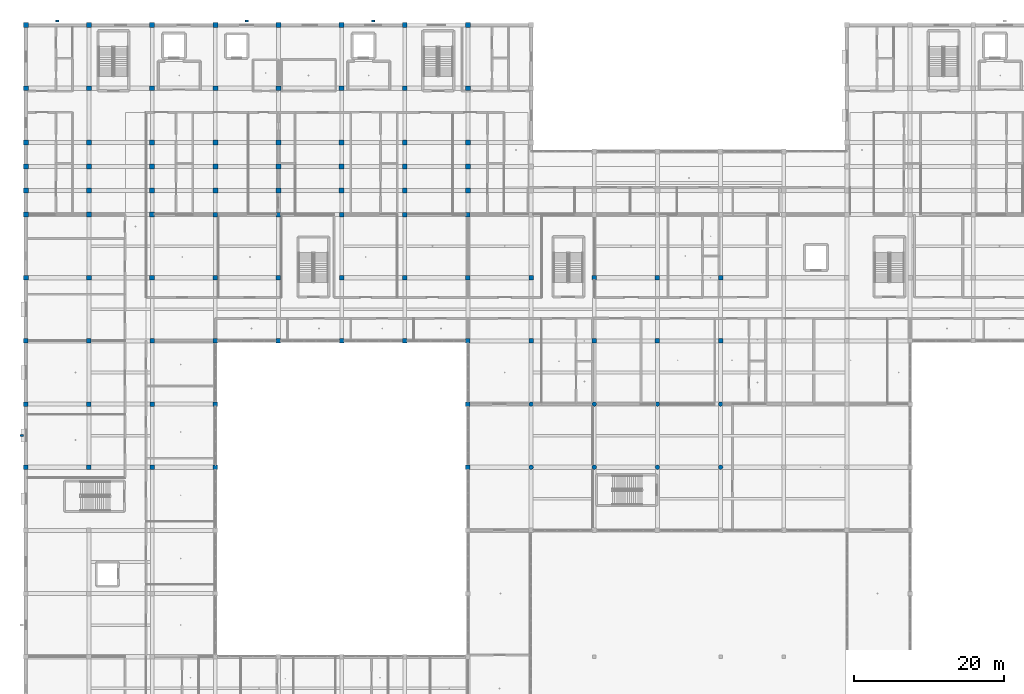
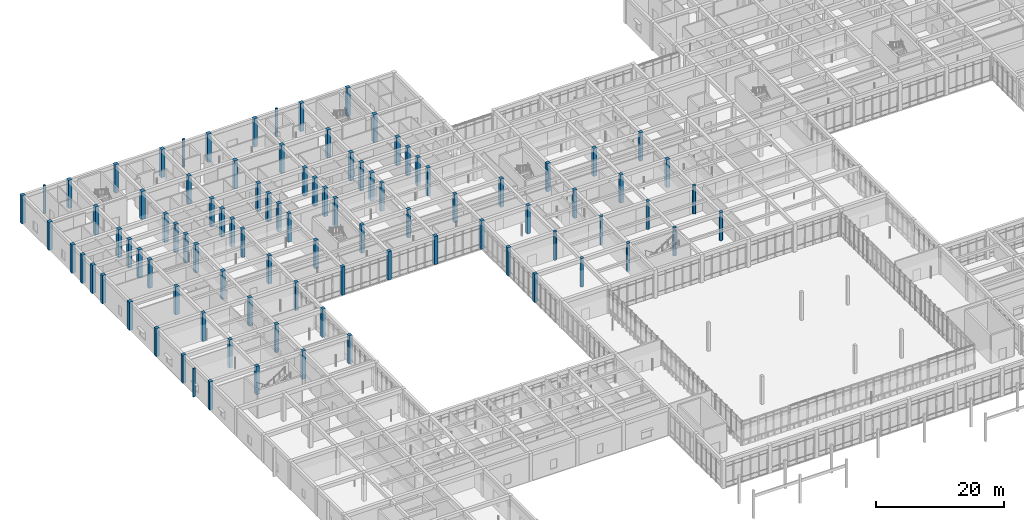
# One storey, part 3 of 157: 94 columns.
"""IFC4 building model written with IfcOpenShell, lengths in metres."""

import ifcopenshell
import ifcopenshell.guid

model = None  # the IFC model being written
_history = None  # IfcOwnerHistory: only IFC2X3 demands one
_inside = {}  # id of a spatial element -> (the spatial element, [elements in it])
_under = {}  # id of a project, library or spatial element -> (it, [spatial elements below it])
_declared = {}  # id of a project -> (the project, [libraries it declares])
_typed = {}  # id of a type object -> (the type object, [elements of that type])
_made_of = {}  # id of a material, layer set ... -> (it, [elements and type objects made of it])


def new_model(schema):
    """Start an empty IFC model of exactly this schema.

    Asked for "IFC4X3", IfcOpenShell would pick the latest addendum, in which some entities
    have other attributes; the version numbers below select the first issue.
    IFC2X3 requires an IfcOwnerHistory on every rooted entity: one is made here for all.
    """
    global model, _history
    if schema == "IFC4X3":
        model = ifcopenshell.file(schema_version=(4, 3, 0, 0))
    else:
        model = ifcopenshell.file(schema=schema)
    _inside.clear()
    _under.clear()
    _declared.clear()
    _typed.clear()
    _made_of.clear()
    _history = None
    if model.schema == "IFC2X3":
        org = make("IfcOrganization", Name="unknown")
        user = make(
            "IfcPersonAndOrganization",
            ThePerson=make("IfcPerson", FamilyName="unknown"),
            TheOrganization=org,
        )
        app = make(
            "IfcApplication",
            ApplicationDeveloper=org,
            Version="unknown",
            ApplicationFullName="unknown",
            ApplicationIdentifier="unknown",
        )
        _history = make(
            "IfcOwnerHistory",
            OwningUser=user,
            OwningApplication=app,
            ChangeAction="ADDED",
            CreationDate=0,
        )
    return model


def make(cls, **values):
    """One entity of the class cls with the attributes given. An attribute that is None is left unset."""
    return model.create_entity(
        cls, **{name: value for name, value in values.items() if value is not None}
    )


def rooted(cls, **values):
    """An entity with a GlobalId (a new one), such as an element, a storey or a relation."""
    return make(cls, GlobalId=ifcopenshell.guid.new(), OwnerHistory=_history, **values)


def si_unit(unit_type, name, prefix=None):
    """IfcSIUnit, for example si_unit("LENGTHUNIT", "METRE", prefix="MILLI")."""
    return make("IfcSIUnit", UnitType=unit_type, Prefix=prefix, Name=name)


def assignment(units):
    """IfcUnitAssignment: the units of a project."""
    return None if units is None else make("IfcUnitAssignment", Units=units)


def point(xyz):
    """IfcCartesianPoint."""
    return None if xyz is None else make("IfcCartesianPoint", Coordinates=xyz)


def direction(xyz):
    """IfcDirection."""
    return None if xyz is None else make("IfcDirection", DirectionRatios=xyz)


def frame(location, z_axis=None, x_axis=None):
    """IfcAxis2Placement3D, a coordinate frame: its origin and axes. An axis left out is left unset."""
    return make(
        "IfcAxis2Placement3D",
        Location=point(location),
        Axis=direction(z_axis),
        RefDirection=direction(x_axis),
    )


def frame_2d(location, x_axis=None):
    """IfcAxis2Placement2D, a coordinate frame in the plane: its origin and x axis."""
    return make(
        "IfcAxis2Placement2D", Location=point(location), RefDirection=direction(x_axis)
    )


def origin():
    """The frame at (0, 0, 0) with its axes left unset."""
    return frame((0.0, 0.0, 0.0))


def origin_2d():
    """The frame at (0, 0) in the plane with its x axis left unset."""
    return frame_2d((0.0, 0.0))


def place(relative_to, where):
    """IfcLocalPlacement: puts the frame where relative to a parent placement (None: the world)."""
    return make(
        "IfcLocalPlacement", PlacementRelTo=relative_to, RelativePlacement=where
    )


def context(
    kind, dimensions, precision=None, world=None, true_north=None, identifier=None
):
    """IfcGeometricRepresentationContext, for example the 3D "Model" context."""
    return make(
        "IfcGeometricRepresentationContext",
        ContextIdentifier=identifier,
        ContextType=kind,
        CoordinateSpaceDimension=dimensions,
        Precision=precision,
        WorldCoordinateSystem=world,
        TrueNorth=true_north,
    )


def subcontext(parent, identifier, kind, view, scale=None):
    """IfcGeometricRepresentationSubContext, for example "Body" below "Model"."""
    return make(
        "IfcGeometricRepresentationSubContext",
        ContextIdentifier=identifier,
        ContextType=kind,
        ParentContext=parent,
        TargetScale=scale,
        TargetView=view,
    )


def project(units=None, contexts=None):
    """IfcProject with its units and contexts."""
    return rooted(
        "IfcProject",
        Name="project",
        RepresentationContexts=contexts,
        UnitsInContext=assignment(units),
    )


def spatial(cls, under=None, at=None, **own):
    """A site, building, storey or space (cls), placed at a placement, below another one or the project."""
    s = rooted(cls, ObjectPlacement=at, **own)
    if under is not None:
        _under.setdefault(under.id(), (under, []))[1].append(s)
    return s


def profile(cls, at=None, kind="AREA", **sizes):
    """A parametric profile (cls). Its sizes go by their IFC names, for example OverallWidth=200.0."""
    return make(cls, ProfileType=kind, Position=at, **sizes)


def rectangle(**sizes):
    """IfcRectangleProfileDef."""
    return profile("IfcRectangleProfileDef", **sizes)


def circle(**sizes):
    """IfcCircleProfileDef."""
    return profile("IfcCircleProfileDef", **sizes)


def extrude(swept, where, along, depth):
    """IfcExtrudedAreaSolid: the profile swept, set in the frame where, extruded along a direction by depth."""
    return make(
        "IfcExtrudedAreaSolid",
        SweptArea=swept,
        Position=where,
        ExtrudedDirection=direction(along),
        Depth=depth,
    )


def shape(context_of_items, identifier, shape_type, items):
    """IfcShapeRepresentation: the items that make up one representation, for example the "Body"."""
    return make(
        "IfcShapeRepresentation",
        ContextOfItems=context_of_items,
        RepresentationIdentifier=identifier,
        RepresentationType=shape_type,
        Items=items,
    )


def material(Name=None, Category=None):
    """IfcMaterial."""
    return make("IfcMaterial", Name=Name, Category=Category)


def material_profile(
    of_material, cross_section, Name=None, Category=None, Priority=None
):
    """IfcMaterialProfile: a cross section and its material."""
    return make(
        "IfcMaterialProfile",
        Name=Name,
        Material=of_material,
        Profile=cross_section,
        Priority=Priority,
        Category=Category,
    )


def profile_set(profiles, Name=None, composite=None):
    """IfcMaterialProfileSet."""
    return make(
        "IfcMaterialProfileSet",
        Name=Name,
        MaterialProfiles=profiles,
        CompositeProfile=composite,
    )


def made_of(thing, what):
    """Note that an element or type object is made of a material, layer set ...; save() writes the relation."""
    if what is not None:
        _made_of.setdefault(what.id(), (what, []))[1].append(thing)
    return thing


def type_object(cls, material=None, **own):
    """A type object (cls), such as IfcWallType, which elements share."""
    return made_of(rooted(cls, **own), material)


def element(
    cls,
    number,
    at=None,
    inside=None,
    cuts=None,
    type_object=None,
    material=None,
    context=None,
    identifier="Body",
    shape_type=None,
    held_by="IfcProductDefinitionShape",
    body=None,
    shapes=None,
    **own,
):
    """One element of the class cls, such as IfcWall. Its Tag is "e" and its number.

    at: its placement. inside: the storey or other place that contains it. cuts: it is an
    opening in that element (IfcRelVoidsElement). A single representation is given by context,
    identifier, shape_type and body (its items); several are given by shapes. held_by: the class
    of the entity that holds the representations. save() writes the other relations.
    """
    e = rooted(cls, Tag="e%d" % number, ObjectPlacement=at, **own)
    if body is not None:
        shapes = [shape(context, identifier, shape_type, body)]
    if shapes is not None:
        e.Representation = make(held_by, Representations=shapes)
    if inside is not None:
        _inside.setdefault(inside.id(), (inside, []))[1].append(e)
    if cuts is not None:
        rooted(
            "IfcRelVoidsElement", RelatingBuildingElement=cuts, RelatedOpeningElement=e
        )
    if type_object is not None:
        _typed.setdefault(type_object.id(), (type_object, []))[1].append(e)
    return made_of(e, material)


def aggregate(whole, parts):
    """IfcRelAggregates: a whole, such as a stair, and the parts it consists of."""
    return rooted("IfcRelAggregates", RelatingObject=whole, RelatedObjects=parts)


def save(model, path):
    """Write the relations noted so far, then the file.

    IfcRelAggregates (storeys below a building ...), IfcRelContainedInSpatialStructure (elements
    in a storey), IfcRelDefinesByType, IfcRelAssociatesMaterial and IfcRelDeclares: one each for
    every whole, place, type object, material and project.
    """
    for whole, parts in _under.values():
        aggregate(whole, parts)
    for where, things in _inside.values():
        rooted(
            "IfcRelContainedInSpatialStructure",
            RelatedElements=things,
            RelatingStructure=where,
        )
    for kind, things in _typed.values():
        rooted("IfcRelDefinesByType", RelatedObjects=things, RelatingType=kind)
    for what, things in _made_of.values():
        rooted("IfcRelAssociatesMaterial", RelatedObjects=things, RelatingMaterial=what)
    for by, libraries in _declared.values():
        rooted("IfcRelDeclares", RelatingContext=by, RelatedDefinitions=libraries)
    model.write(path)


model = new_model("IFC4")

# Units and contexts
model_context = context("Model", 3, precision=1e-05, world=origin(), true_north=direction((0.0, 1.0)))
body_context = subcontext(model_context, "Body", "Model", "MODEL_VIEW")
ifc_project = project(units=[si_unit("LENGTHUNIT", "METRE"), si_unit("AREAUNIT", "SQUARE_METRE"), si_unit("VOLUMEUNIT", "CUBIC_METRE"), si_unit("PLANEANGLEUNIT", "RADIAN"), si_unit("MASSUNIT", "GRAM", prefix="KILO")], contexts=[model_context])

# Site, building, storey
site_placement = place(None, origin())
site = spatial("IfcSite", under=ifc_project, at=site_placement, CompositionType="ELEMENT")
building_placement = place(site_placement, origin())
building = spatial("IfcBuilding", under=site, at=building_placement, Name="Varncliffe General Hospital", CompositionType="ELEMENT")
storey_placement = place(building_placement, frame((0.0, 0.0, 5.39990234375)))
storey = spatial("IfcBuildingStorey", under=building, at=storey_placement, Name="L01", CompositionType="ELEMENT", Elevation=5.39990234375)

# Columns
ifc_material_1 = material(Name="Concrete C40/50 (CSA A23.1 40 MPa)", Category="concrete")
ifc_material_profile_1 = material_profile(ifc_material_1, rectangle(XDim=0.64990234375, YDim=0.64990234375, at=origin_2d()), Name="RC 650x650")
ifc_profile_set_1 = profile_set([ifc_material_profile_1], Name="Concrete C40/50 (CSA A23.1 40 MPa)")
column_type_1 = type_object("IfcColumnType", Name="Column C21 (Ext RC 650x650)", PredefinedType="COLUMN", material=ifc_profile_set_1)
for number, where, z_axis, x_axis, name in (
    (1, (0.0, 91.199951171875, 0.0), (0.0, 0.0, 1.0), (1.0, 0.0, 0.0), "L01 Column C21"),
    (2, (0.0, 99.60009765625, 0.0), (0.0, 0.0, 1.0), (1.0, 0.0, 0.0), "L01 Column C21"),
    (3, (0.0, 102.800048828125, 0.0), (0.0, 0.0, 1.0), (1.0, 0.0, 0.0), "L01 Column C21"),
    (4, (0.0, 106.0, 0.0), (0.0, 0.0, 1.0), (1.0, 0.0, 0.0), "L01 Column C21"),
    (5, (0.0, 109.199951171875, 0.0), (0.0, 0.0, 1.0), (1.0, 0.0, 0.0), "L01 Column C21"),
    (6, (0.0, 116.39990234375, 0.0), (0.0, 0.0, 1.0), (1.0, 0.0, 0.0), "L01 Column C21"),
    (7, (0.0, 124.800048828125, 0.0), (0.0, 0.0, 1.0), (1.0, 0.0, 0.0), "L01 Column C21"),
    (8, (8.39990234375, 124.800048828125, 0.0), (0.0, 0.0, 1.0), (1.0, 0.0, 0.0), "L01 Column C21"),
    (9, (16.800048828125, 124.800048828125, 0.0), (0.0, 0.0, 1.0), (1.0, 0.0, 0.0), "L01 Column C21"),
    (10, (25.199951171875, 124.800048828125, 0.0), (0.0, 0.0, 1.0), (1.0, 0.0, 0.0), "L01 Column C21"),
    (11, (33.60009765625, 124.800048828125, 0.0), (0.0, 0.0, 1.0), (1.0, 0.0, 0.0), "L01 Column C21"),
    (12, (42.0, 124.800048828125, 0.0), (0.0, 0.0, 1.0), (1.0, 0.0, 0.0), "L01 Column C21"),
    (13, (50.39990234375, 124.800048828125, 0.0), (0.0, 0.0, 1.0), (1.0, 0.0, 0.0), "L01 Column C21"),
    (14, (58.800048828125, 124.800048828125, 0.0), (0.0, 0.0, 1.0), (1.0, 0.0, 0.0), "L01 Column C21"),
):
    element("IfcColumn", number, at=place(storey_placement, frame(where, z_axis=z_axis, x_axis=x_axis)), inside=storey, type_object=column_type_1, Name=name, PredefinedType="COLUMN", context=body_context, shape_type="SweptSolid", body=[
        extrude(rectangle(XDim=0.64990234375, YDim=0.64990234375, at=origin_2d()), origin(), (0.0, 0.0, 1.0), 5.400146484375),
    ])
ifc_material_profile_2 = material_profile(ifc_material_1, circle(Radius=0.300048828125, at=origin_2d()), Name="RC D600")
ifc_profile_set_2 = profile_set([ifc_material_profile_2], Name="Concrete C40/50 (CSA A23.1 40 MPa)")
column_type_2 = type_object("IfcColumnType", Name="Column C22 (Int RC D600)", PredefinedType="COLUMN", material=ifc_profile_set_2)
for number, where, z_axis, x_axis, name in (
    (15, (67.199951171875, 66.0, 0.0), (0.0, 0.0, 1.0), (1.0, 0.0, 0.0), "L01 Column C22"),
    (16, (67.199951171875, 74.39990234375, 0.0), (0.0, 0.0, 1.0), (1.0, 0.0, 0.0), "L01 Column C22"),
    (17, (75.60009765625, 66.0, 0.0), (0.0, 0.0, 1.0), (1.0, 0.0, 0.0), "L01 Column C22"),
    (18, (75.60009765625, 74.39990234375, 0.0), (0.0, 0.0, 1.0), (1.0, 0.0, 0.0), "L01 Column C22"),
    (19, (84.0, 66.0, 0.0), (0.0, 0.0, 1.0), (1.0, 0.0, 0.0), "L01 Column C22"),
    (20, (84.0, 74.39990234375, 0.0), (0.0, 0.0, 1.0), (1.0, 0.0, 0.0), "L01 Column C22"),
    (21, (92.39990234375, 66.0, 0.0), (0.0, 0.0, 1.0), (1.0, 0.0, 0.0), "L01 Column C22"),
    (22, (92.39990234375, 74.39990234375, 0.0), (0.0, 0.0, 1.0), (1.0, 0.0, 0.0), "L01 Column C22"),
):
    element("IfcColumn", number, at=place(storey_placement, frame(where, z_axis=z_axis, x_axis=x_axis)), inside=storey, type_object=column_type_2, Name=name, PredefinedType="COLUMN", context=body_context, shape_type="SweptSolid", body=[
        extrude(circle(Radius=0.300048828125, at=origin_2d()), origin(), (0.0, 0.0, 1.0), 5.400146484375),
    ])
ifc_material_profile_3 = material_profile(ifc_material_1, rectangle(XDim=0.60009765625, YDim=0.60009765625, at=origin_2d()), Name="RC 600x600")
ifc_profile_set_3 = profile_set([ifc_material_profile_3], Name="Concrete C40/50 (CSA A23.1 40 MPa)")
column_type_3 = type_object("IfcColumnType", Name="Column C27 (Ext RC 600x600)", PredefinedType="COLUMN", material=ifc_profile_set_3)
for number, where, z_axis, x_axis, name in (
    (23, (0.0, 66.0, 0.0), (0.0, 0.0, 1.0), (1.0, 0.0, 0.0), "L01 Column C27"),
    (24, (0.0, 74.39990234375, 0.0), (0.0, 0.0, 1.0), (1.0, 0.0, 0.0), "L01 Column C27"),
    (25, (0.0, 82.800048828125, 0.0), (0.0, 0.0, 1.0), (1.0, 0.0, 0.0), "L01 Column C27"),
    (26, (25.199951171875, 66.0, 0.0), (0.0, 0.0, 1.0), (1.0, 0.0, 0.0), "L01 Column C27"),
    (27, (25.199951171875, 74.39990234375, 0.0), (0.0, 0.0, 1.0), (1.0, 0.0, 0.0), "L01 Column C27"),
    (28, (25.199951171875, 82.800048828125, 0.0), (0.0, 0.0, 1.0), (1.0, 0.0, 0.0), "L01 Column C27"),
    (29, (33.60009765625, 82.800048828125, 0.0), (0.0, 0.0, 1.0), (1.0, 0.0, 0.0), "L01 Column C27"),
    (30, (42.0, 82.800048828125, 0.0), (0.0, 0.0, 1.0), (1.0, 0.0, 0.0), "L01 Column C27"),
    (31, (50.39990234375, 82.800048828125, 0.0), (0.0, 0.0, 1.0), (1.0, 0.0, 0.0), "L01 Column C27"),
    (32, (58.800048828125, 66.0, 0.0), (0.0, 0.0, 1.0), (1.0, 0.0, 0.0), "L01 Column C27"),
    (33, (58.800048828125, 74.39990234375, 0.0), (0.0, 0.0, 1.0), (1.0, 0.0, 0.0), "L01 Column C27"),
    (34, (58.800048828125, 82.800048828125, 0.0), (0.0, 0.0, 1.0), (1.0, 0.0, 0.0), "L01 Column C27"),
):
    element("IfcColumn", number, at=place(storey_placement, frame(where, z_axis=z_axis, x_axis=x_axis)), inside=storey, type_object=column_type_3, Name=name, PredefinedType="COLUMN", context=body_context, shape_type="SweptSolid", body=[
        extrude(rectangle(XDim=0.60009765625, YDim=0.60009765625, at=origin_2d()), origin(), (0.0, 0.0, 1.0), 5.400146484375),
    ])
ifc_material_profile_4 = material_profile(ifc_material_1, rectangle(XDim=0.64990234375, YDim=0.64990234375, at=origin_2d()), Name="RC 650x650")
ifc_profile_set_4 = profile_set([ifc_material_profile_4], Name="Concrete C40/50 (CSA A23.1 40 MPa)")
column_type_4 = type_object("IfcColumnType", Name="Column C29 (Int RC 650x650)", PredefinedType="COLUMN", material=ifc_profile_set_4)
for number, where, z_axis, x_axis, name in (
    (35, (8.39990234375, 91.199951171875, 0.0), (0.0, 0.0, 1.0), (1.0, 0.0, 0.0), "L01 Column C29"),
    (36, (8.39990234375, 99.60009765625, 0.0), (0.0, 0.0, 1.0), (1.0, 0.0, 0.0), "L01 Column C29"),
    (37, (8.39990234375, 102.800048828125, 0.0), (0.0, 0.0, 1.0), (1.0, 0.0, 0.0), "L01 Column C29"),
    (38, (8.39990234375, 106.0, 0.0), (0.0, 0.0, 1.0), (1.0, 0.0, 0.0), "L01 Column C29"),
    (39, (8.39990234375, 109.199951171875, 0.0), (0.0, 0.0, 1.0), (1.0, 0.0, 0.0), "L01 Column C29"),
    (40, (8.39990234375, 116.39990234375, 0.0), (0.0, 0.0, 1.0), (1.0, 0.0, 0.0), "L01 Column C29"),
    (41, (16.800048828125, 91.199951171875, 0.0), (0.0, 0.0, 1.0), (1.0, 0.0, 0.0), "L01 Column C29"),
    (42, (16.800048828125, 99.60009765625, 0.0), (0.0, 0.0, 1.0), (1.0, 0.0, 0.0), "L01 Column C29"),
    (43, (16.800048828125, 102.800048828125, 0.0), (0.0, 0.0, 1.0), (1.0, 0.0, 0.0), "L01 Column C29"),
    (44, (16.800048828125, 106.0, 0.0), (0.0, 0.0, 1.0), (1.0, 0.0, 0.0), "L01 Column C29"),
    (45, (16.800048828125, 109.199951171875, 0.0), (0.0, 0.0, 1.0), (1.0, 0.0, 0.0), "L01 Column C29"),
    (46, (16.800048828125, 116.39990234375, 0.0), (0.0, 0.0, 1.0), (1.0, 0.0, 0.0), "L01 Column C29"),
    (47, (25.199951171875, 102.800048828125, 0.0), (0.0, 0.0, 1.0), (1.0, 0.0, 0.0), "L01 Column C29"),
    (48, (25.199951171875, 106.0, 0.0), (0.0, 0.0, 1.0), (1.0, 0.0, 0.0), "L01 Column C29"),
    (49, (25.199951171875, 109.199951171875, 0.0), (0.0, 0.0, 1.0), (1.0, 0.0, 0.0), "L01 Column C29"),
    (50, (25.199951171875, 116.39990234375, 0.0), (0.0, 0.0, 1.0), (1.0, 0.0, 0.0), "L01 Column C29"),
    (51, (33.60009765625, 102.800048828125, 0.0), (0.0, 0.0, 1.0), (1.0, 0.0, 0.0), "L01 Column C29"),
    (52, (33.60009765625, 106.0, 0.0), (0.0, 0.0, 1.0), (1.0, 0.0, 0.0), "L01 Column C29"),
    (53, (33.60009765625, 109.199951171875, 0.0), (0.0, 0.0, 1.0), (1.0, 0.0, 0.0), "L01 Column C29"),
    (54, (33.60009765625, 116.39990234375, 0.0), (0.0, 0.0, 1.0), (1.0, 0.0, 0.0), "L01 Column C29"),
    (55, (42.0, 102.800048828125, 0.0), (0.0, 0.0, 1.0), (1.0, 0.0, 0.0), "L01 Column C29"),
    (56, (42.0, 106.0, 0.0), (0.0, 0.0, 1.0), (1.0, 0.0, 0.0), "L01 Column C29"),
    (57, (42.0, 109.199951171875, 0.0), (0.0, 0.0, 1.0), (1.0, 0.0, 0.0), "L01 Column C29"),
    (58, (42.0, 116.39990234375, 0.0), (0.0, 0.0, 1.0), (1.0, 0.0, 0.0), "L01 Column C29"),
    (59, (50.39990234375, 102.800048828125, 0.0), (0.0, 0.0, 1.0), (1.0, 0.0, 0.0), "L01 Column C29"),
    (60, (50.39990234375, 106.0, 0.0), (0.0, 0.0, 1.0), (1.0, 0.0, 0.0), "L01 Column C29"),
    (61, (50.39990234375, 109.199951171875, 0.0), (0.0, 0.0, 1.0), (1.0, 0.0, 0.0), "L01 Column C29"),
    (62, (50.39990234375, 116.39990234375, 0.0), (0.0, 0.0, 1.0), (1.0, 0.0, 0.0), "L01 Column C29"),
    (63, (58.800048828125, 102.800048828125, 0.0), (0.0, 0.0, 1.0), (1.0, 0.0, 0.0), "L01 Column C29"),
    (64, (58.800048828125, 106.0, 0.0), (0.0, 0.0, 1.0), (1.0, 0.0, 0.0), "L01 Column C29"),
    (65, (58.800048828125, 109.199951171875, 0.0), (0.0, 0.0, 1.0), (1.0, 0.0, 0.0), "L01 Column C29"),
    (66, (58.800048828125, 116.39990234375, 0.0), (0.0, 0.0, 1.0), (1.0, 0.0, 0.0), "L01 Column C29"),
):
    element("IfcColumn", number, at=place(storey_placement, frame(where, z_axis=z_axis, x_axis=x_axis)), inside=storey, type_object=column_type_4, Name=name, PredefinedType="COLUMN", context=body_context, shape_type="SweptSolid", body=[
        extrude(rectangle(XDim=0.64990234375, YDim=0.64990234375, at=origin_2d()), origin(), (0.0, 0.0, 1.0), 5.400146484375),
    ])
ifc_material_profile_5 = material_profile(ifc_material_1, rectangle(XDim=0.60009765625, YDim=0.60009765625, at=origin_2d()), Name="RC 600x600")
ifc_profile_set_5 = profile_set([ifc_material_profile_5], Name="Concrete C40/50 (CSA A23.1 40 MPa)")
column_type_5 = type_object("IfcColumnType", Name="Column C82 (Int RC 600x600)", PredefinedType="COLUMN", material=ifc_profile_set_5)
for number, where, z_axis, x_axis, name in (
    (67, (8.39990234375, 66.0, 0.0), (0.0, 0.0, 1.0), (1.0, 0.0, 0.0), "L01 Column C82"),
    (68, (8.39990234375, 74.39990234375, 0.0), (0.0, 0.0, 1.0), (1.0, 0.0, 0.0), "L01 Column C82"),
    (69, (8.39990234375, 82.800048828125, 0.0), (0.0, 0.0, 1.0), (1.0, 0.0, 0.0), "L01 Column C82"),
    (70, (16.800048828125, 66.0, 0.0), (0.0, 0.0, 1.0), (1.0, 0.0, 0.0), "L01 Column C82"),
    (71, (16.800048828125, 74.39990234375, 0.0), (0.0, 0.0, 1.0), (1.0, 0.0, 0.0), "L01 Column C82"),
    (72, (16.800048828125, 82.800048828125, 0.0), (0.0, 0.0, 1.0), (1.0, 0.0, 0.0), "L01 Column C82"),
    (73, (25.199951171875, 91.199951171875, 0.0), (0.0, 0.0, 1.0), (1.0, 0.0, 0.0), "L01 Column C82"),
    (74, (25.199951171875, 99.60009765625, 0.0), (0.0, 0.0, 1.0), (1.0, 0.0, 0.0), "L01 Column C82"),
    (75, (33.60009765625, 91.199951171875, 0.0), (0.0, 0.0, 1.0), (1.0, 0.0, 0.0), "L01 Column C82"),
    (76, (33.60009765625, 99.60009765625, 0.0), (0.0, 0.0, 1.0), (1.0, 0.0, 0.0), "L01 Column C82"),
    (77, (42.0, 91.199951171875, 0.0), (0.0, 0.0, 1.0), (1.0, 0.0, 0.0), "L01 Column C82"),
    (78, (42.0, 99.60009765625, 0.0), (0.0, 0.0, 1.0), (1.0, 0.0, 0.0), "L01 Column C82"),
    (79, (50.39990234375, 91.199951171875, 0.0), (0.0, 0.0, 1.0), (1.0, 0.0, 0.0), "L01 Column C82"),
    (80, (50.39990234375, 99.60009765625, 0.0), (0.0, 0.0, 1.0), (1.0, 0.0, 0.0), "L01 Column C82"),
    (81, (58.800048828125, 91.199951171875, 0.0), (0.0, 0.0, 1.0), (1.0, 0.0, 0.0), "L01 Column C82"),
    (82, (58.800048828125, 99.60009765625, 0.0), (0.0, 0.0, 1.0), (1.0, 0.0, 0.0), "L01 Column C82"),
    (83, (67.199951171875, 82.800048828125, 0.0), (0.0, 0.0, 1.0), (1.0, 0.0, 0.0), "L01 Column C82"),
    (84, (67.199951171875, 91.199951171875, 0.0), (0.0, 0.0, 1.0), (1.0, 0.0, 0.0), "L01 Column C82"),
    (85, (75.60009765625, 82.800048828125, 0.0), (0.0, 0.0, 1.0), (1.0, 0.0, 0.0), "L01 Column C82"),
    (86, (75.60009765625, 91.199951171875, 0.0), (0.0, 0.0, 1.0), (1.0, 0.0, 0.0), "L01 Column C82"),
    (87, (84.0, 82.800048828125, 0.0), (0.0, 0.0, 1.0), (1.0, 0.0, 0.0), "L01 Column C82"),
    (88, (84.0, 91.199951171875, 0.0), (0.0, 0.0, 1.0), (1.0, 0.0, 0.0), "L01 Column C82"),
    (89, (92.39990234375, 82.800048828125, 0.0), (0.0, 0.0, 1.0), (1.0, 0.0, 0.0), "L01 Column C82"),
    (90, (92.39990234375, 91.199951171875, 0.0), (0.0, 0.0, 1.0), (1.0, 0.0, 0.0), "L01 Column C82"),
):
    element("IfcColumn", number, at=place(storey_placement, frame(where, z_axis=z_axis, x_axis=x_axis)), inside=storey, type_object=column_type_5, Name=name, PredefinedType="COLUMN", context=body_context, shape_type="SweptSolid", body=[
        extrude(rectangle(XDim=0.60009765625, YDim=0.60009765625, at=origin_2d()), origin(), (0.0, 0.0, 1.0), 5.400146484375),
    ])
ifc_material_2 = material(Name="Precast concrete C40/50", Category="concrete")
ifc_material_profile_6 = material_profile(ifc_material_2, rectangle(XDim=0.39990234375, YDim=0.25, at=origin_2d()), Name="PIL 400x250")
ifc_profile_set_6 = profile_set([ifc_material_profile_6], Name="Precast concrete C40/50")
column_type_6 = type_object("IfcColumnType", Name="Pilaster PL17 (PIL 400x250)", PredefinedType="PILASTER", material=ifc_profile_set_6)
for number, where, z_axis, x_axis, name in (
    (91, (4.199951171875, 125.35009765625, 0.0), (0.0, 0.0, 1.0), (1.0, 0.0, 0.0), "L01 Facade Pilaster PL17-12"),
    (92, (29.39990234375, 125.35009765625, 0.0), (0.0, 0.0, 1.0), (1.0, 0.0, 0.0), "L01 Facade Pilaster PL17-13"),
    (93, (46.199951171875, 125.35009765625, 0.0), (0.0, 0.0, 1.0), (1.0, 0.0, 0.0), "L01 Facade Pilaster PL17-14"),
):
    element("IfcColumn", number, at=place(storey_placement, frame(where, z_axis=z_axis, x_axis=x_axis)), inside=storey, type_object=column_type_6, Name=name, PredefinedType="PILASTER", context=body_context, shape_type="SweptSolid", body=[
        extrude(rectangle(XDim=0.39990234375, YDim=0.25, at=origin_2d()), origin(), (0.0, 0.0, 1.0), 5.400146484375),
    ])
ifc_material_profile_7 = material_profile(ifc_material_2, rectangle(XDim=0.449951171875, YDim=0.280029296875, at=origin_2d()), Name="PIL 450x280")
ifc_profile_set_7 = profile_set([ifc_material_profile_7], Name="Precast concrete C40/50")
column_type_7 = type_object("IfcColumnType", Name="Pilaster PL64 (PIL 450x280)", PredefinedType="PILASTER", material=ifc_profile_set_7)
column_placement = place(storey_placement, frame((-0.550048828125, 70.199951171875, 0.0), z_axis=(0.0, 0.0, 1.0), x_axis=(1.0, 0.0, 0.0)))
element("IfcColumn", 94, at=column_placement, inside=storey, type_object=column_type_7, Name="L01 Facade Pilaster PL64-7", PredefinedType="PILASTER", context=body_context, shape_type="SweptSolid", body=[
    extrude(rectangle(XDim=0.449951171875, YDim=0.280029296875, at=origin_2d()), origin(), (0.0, 0.0, 1.0), 5.400146484375),
])

save(model, "model.ifc")
